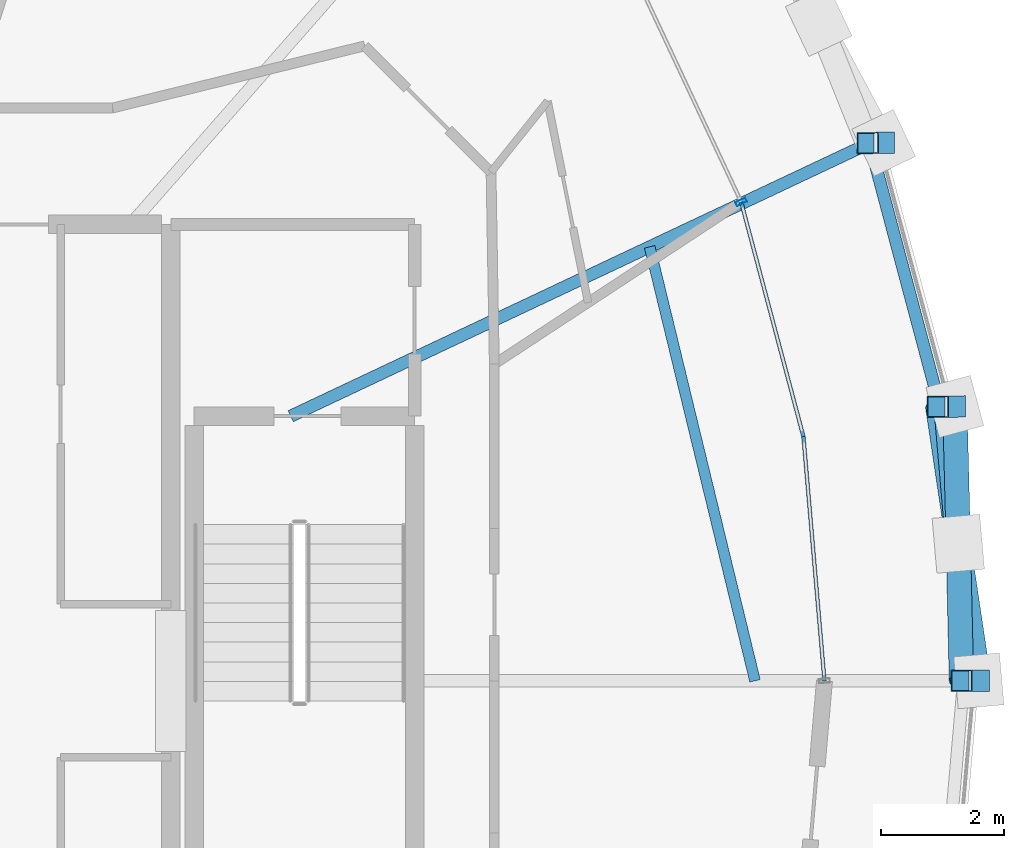
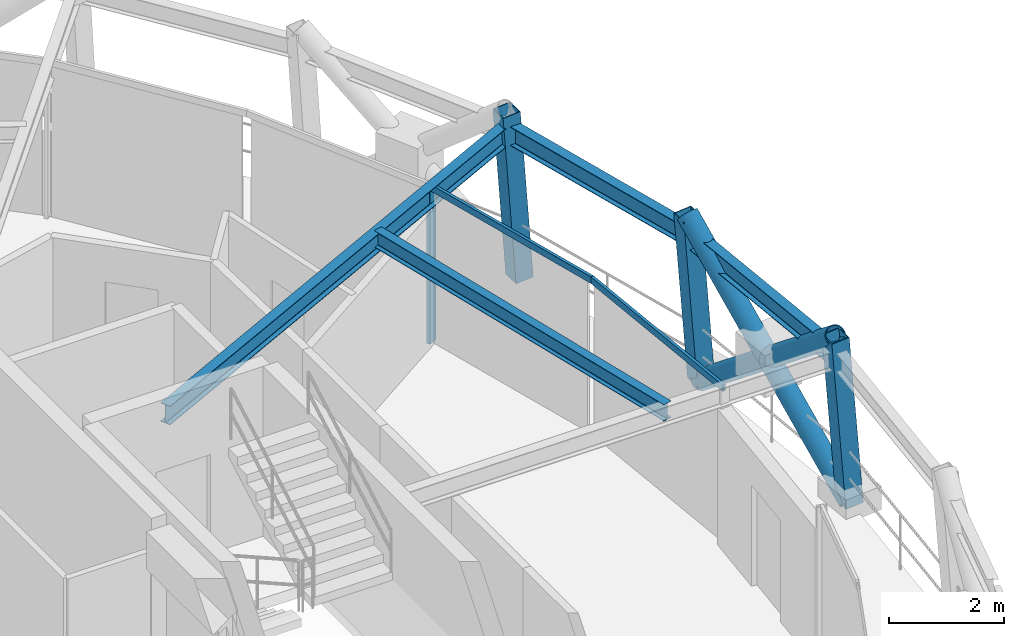
# One storey, part 5 of 16: 9 members, 4 beams, 1 element without a shape of its own.
"""IFC4 building model written with IfcOpenShell, lengths in metres."""

from ifc_helpers import new_model, si_unit, direction, frame, origin, origin_2d, place, context, subcontext, project, spatial, hollow_rectangle, hollow_circle, i_section, extrude, material, layer, layer_set, material_profile, profile_set, type_object, element, aggregate, save


model = new_model("IFC4")

# Units and contexts
model_context = context("Model", 3, precision=1e-05, world=origin(), true_north=direction((0.0, 1.0)))
body_context = subcontext(model_context, "Body", "Model", "MODEL_VIEW")
ifc_project = project(units=[si_unit("LENGTHUNIT", "METRE"), si_unit("AREAUNIT", "SQUARE_METRE"), si_unit("VOLUMEUNIT", "CUBIC_METRE"), si_unit("PLANEANGLEUNIT", "RADIAN"), si_unit("MASSUNIT", "GRAM", prefix="KILO")], contexts=[model_context])

# Site, building, storey
site_placement = place(None, origin())
site = spatial("IfcSite", under=ifc_project, at=site_placement, CompositionType="ELEMENT")
building_placement = place(site_placement, origin())
building = spatial("IfcBuilding", under=site, at=building_placement, Name="Veldorina Hangang Commons", CompositionType="ELEMENT")
storey_placement = place(building_placement, frame((0.0, 0.0, 283.199951171875)))
storey = spatial("IfcBuildingStorey", under=building, at=storey_placement, Name="L74", CompositionType="ELEMENT", Elevation=283.199951171875)

# Beams
ifc_material_1 = material(Name="Steel SM355-TMC", Category="steel")
ifc_material_profile_1 = material_profile(ifc_material_1, i_section(OverallWidth=0.199951171875, OverallDepth=0.39990234375, WebThickness=0.008056640625, FlangeThickness=0.012939453125, FilletRadius=0.012939453125, at=origin_2d()), Name="H-400x200x8x13")
ifc_profile_set_1 = profile_set([ifc_material_profile_1], Name="Steel SM355-TMC")
beam_type_1 = type_object("IfcBeamType", Name="BM-FG400", PredefinedType="BEAM", material=ifc_profile_set_1)
beam_1_placement = place(storey_placement, frame((41.157470703125, 28.320068359375, 3.16015625), z_axis=(0.904413730683, 0.426656540736, 0.0), x_axis=(-0.426656540736, 0.904413730683, 0.0)))
element("IfcBeam", 1, at=beam_1_placement, inside=storey, type_object=beam_type_1, Name="L74 radial floor girder 02", PredefinedType="BEAM", context=body_context, shape_type="SweptSolid", body=[
    extrude(i_section(OverallWidth=0.199951171875, OverallDepth=0.39990234375, WebThickness=0.008056640625, FlangeThickness=0.012939453125, FilletRadius=0.012939453125, at=origin_2d()), origin(), (0.0, 0.0, 1.0), 10.44873046875),
])
ifc_material_profile_2 = material_profile(ifc_material_1, i_section(OverallWidth=0.175048828125, OverallDepth=0.35009765625, WebThickness=0.007080078125, FlangeThickness=0.010986328125, FilletRadius=0.012939453125, at=origin_2d()), Name="H-350x175x7x11")
ifc_profile_set_2 = profile_set([ifc_material_profile_2], Name="Steel SM355-TMC")
beam_type_2 = type_object("IfcBeamType", Name="BM-JST350", PredefinedType="JOIST", material=ifc_profile_set_2)
beam_2_placement = place(storey_placement, frame((48.735595703125, 24.0, 3.18505859375), z_axis=(-0.235847326626, 0.971790120614, 0.0), x_axis=(-0.971790120614, -0.235847326626, 0.0)))
element("IfcBeam", 2, at=beam_2_placement, inside=storey, type_object=beam_type_2, Name="L74 secondary floor joist 01", PredefinedType="JOIST", context=body_context, shape_type="SweptSolid", body=[
    extrude(i_section(OverallWidth=0.175048828125, OverallDepth=0.35009765625, WebThickness=0.007080078125, FlangeThickness=0.010986328125, FilletRadius=0.012939453125, at=origin_2d()), origin(), (0.0, 0.0, 1.0), 7.28955078125),
])
ifc_material_profile_3 = material_profile(ifc_material_1, i_section(OverallWidth=0.199951171875, OverallDepth=0.39990234375, WebThickness=0.008056640625, FlangeThickness=0.012939453125, FilletRadius=0.012939453125, at=origin_2d()), Name="H-400x200x8x13")
ifc_profile_set_3 = profile_set([ifc_material_profile_3], Name="Steel SM355-TMC")
beam_type_3 = type_object("IfcBeamType", Name="BM-RB400", PredefinedType="BEAM", material=ifc_profile_set_3)
beam_3_placement = place(storey_placement, frame((52.140625, 24.0, 3.16015625), z_axis=(-0.086148795237, 0.996282281825, 0.0), x_axis=(-0.996282281825, -0.086148795237, 0.0)))
element("IfcBeam", 3, at=beam_3_placement, inside=storey, type_object=beam_type_3, Name="L74 perimeter hoop ring beam 00", PredefinedType="BEAM", context=body_context, shape_type="SweptSolid", body=[
    extrude(i_section(OverallWidth=0.199951171875, OverallDepth=0.39990234375, WebThickness=0.008056640625, FlangeThickness=0.012939453125, FilletRadius=0.012939453125, at=origin_2d()), origin(), (0.0, 0.0, 1.0), 4.49169921875),
])
beam_4_placement = place(storey_placement, frame((51.753662109375, 28.47509765625, 3.16015625), z_axis=(-0.257406712374, 0.96630315348, 0.0), x_axis=(-0.96630315348, -0.257406712374, 0.0)))
element("IfcBeam", 4, at=beam_4_placement, inside=storey, type_object=beam_type_3, Name="L74 perimeter hoop ring beam 01", PredefinedType="BEAM", context=body_context, shape_type="SweptSolid", body=[
    extrude(i_section(OverallWidth=0.199951171875, OverallDepth=0.39990234375, WebThickness=0.008056640625, FlangeThickness=0.012939453125, FilletRadius=0.012939453125, at=origin_2d()), origin(), (0.0, 0.0, 1.0), 4.453125),
])

# Curtain wall, members
ifc_material_2 = material(Name="Glass Low-E Selective", Category="glass")
ifc_layer = layer(ifc_material_2, 0.179931640625)
ifc_layer_set = layer_set([ifc_layer], Name="Glass Low-E Selective")
curtain_wall_type = type_object("IfcCurtainWallType", Name="CW-SYS-Z3", PredefinedType="NOTDEFINED", material=ifc_layer_set)
curtain_wall_placement = place(storey_placement, origin())
curtain_wall = element("IfcCurtainWall", 5, at=curtain_wall_placement, inside=storey, type_object=curtain_wall_type, Name="L74 unitised curtain wall CW-L74-R1", PredefinedType="NOTDEFINED")
ifc_material_3 = material(Name="Aluminium Anodized AA6063-T6", Category="aluminium")
ifc_material_profile_4 = material_profile(ifc_material_3, hollow_rectangle(XDim=0.070068359375, YDim=0.179931640625, WallThickness=0.00390625, at=origin_2d()), Name="ALU-RHS-180x70x4")
ifc_profile_set_4 = profile_set([ifc_material_profile_4], Name="Aluminium Anodized AA6063-T6")
member_type_1 = type_object("IfcMemberType", Name="CW-MUL-180", PredefinedType="MULLION", material=ifc_profile_set_4)
member_1_placement = place(storey_placement, frame((48.509521484375, 31.817626953125, 0.0), z_axis=(0.0, 0.0, 1.0), x_axis=(-0.42355130275, 0.905872117873, 0.0)))
member_1 = element("IfcMember", 6, at=member_1_placement, type_object=member_type_1, Name="CW-L74-R1 vertical mullion 2", PredefinedType="MULLION", context=body_context, shape_type="SweptSolid", body=[
    extrude(hollow_rectangle(XDim=0.070068359375, YDim=0.179931640625, WallThickness=0.00390625, at=origin_2d()), origin(), (0.0, 0.0, 1.0), 3.320068359375),
])
ifc_material_profile_5 = material_profile(ifc_material_3, hollow_rectangle(XDim=0.06005859375, YDim=0.139892578125, WallThickness=0.00341796875, at=origin_2d()), Name="ALU-RHS-140x60x3.5")
ifc_profile_set_5 = profile_set([ifc_material_profile_5], Name="Aluminium Anodized AA6063-T6")
member_type_2 = type_object("IfcMemberType", Name="CW-TRN-140", PredefinedType="USERDEFINED", material=ifc_profile_set_5)
member_2_placement = place(storey_placement, frame((49.86962890625, 24.0, 3.280029296875), z_axis=(-0.085813135063, 0.996311249485, 0.0), x_axis=(-0.996311249485, -0.085813135063, 0.0)))
member_2 = element("IfcMember", 7, at=member_2_placement, type_object=member_type_2, Name="CW-L74-R1 facet 1 transom 1", ObjectType="TRANSOM", PredefinedType="USERDEFINED", context=body_context, shape_type="SweptSolid", body=[
    extrude(hollow_rectangle(XDim=0.06005859375, YDim=0.139892578125, WallThickness=0.00341796875, at=origin_2d()), origin(), (0.0, 0.0, 1.0), 4.0),
])
member_3_placement = place(storey_placement, frame((49.5263671875, 27.9853515625, 3.280029296875), z_axis=(-0.256462875199, 0.966554082111, 0.0), x_axis=(-0.966554082111, -0.256462875199, 0.0)))
member_3 = element("IfcMember", 8, at=member_3_placement, type_object=member_type_2, Name="CW-L74-R1 facet 2 transom 1", ObjectType="TRANSOM", PredefinedType="USERDEFINED", context=body_context, shape_type="SweptSolid", body=[
    extrude(hollow_rectangle(XDim=0.06005859375, YDim=0.139892578125, WallThickness=0.00341796875, at=origin_2d()), origin(), (0.0, 0.0, 1.0), 3.96484375),
])
aggregate(curtain_wall, [member_1, member_2, member_3])

# Members
ifc_material_profile_6 = material_profile(ifc_material_1, hollow_circle(Radius=0.199951171875, WallThickness=0.02001953125, at=origin_2d()), Name="CHS-400x20")
ifc_profile_set_6 = profile_set([ifc_material_profile_6], Name="Steel SM355-TMC")
member_type_3 = type_object("IfcMemberType", Name="DG-CHS400", PredefinedType="BRACE", material=ifc_profile_set_6)
member_4_placement = place(storey_placement, frame((52.3896484375, 24.0, 0.0), z_axis=(-0.11590482514, 0.773881105704, 0.622634809293), x_axis=(-0.988969574466, -0.148118806302, 0.0)))
element("IfcMember", 9, at=member_4_placement, inside=storey, type_object=member_type_3, Name="L74 continuous perimeter diagrid brace 00", PredefinedType="BRACE", context=body_context, shape_type="SweptSolid", body=[
    extrude(hollow_circle(Radius=0.199951171875, WallThickness=0.02001953125, at=origin_2d()), origin(), (0.0, 0.0, 1.0), 5.781982421875),
])
member_5_placement = place(storey_placement, frame((51.997802734375, 28.47705078125, 0.0), z_axis=(0.019709793362, -0.779131529821, 0.626550543281), x_axis=(0.999680181041, 0.025289041762, 0.0)))
element("IfcMember", 10, at=member_5_placement, inside=storey, type_object=member_type_3, Name="L74 split perimeter diagrid lower brace 01", PredefinedType="BRACE", context=body_context, shape_type="SweptSolid", body=[
    extrude(hollow_circle(Radius=0.199951171875, WallThickness=0.02001953125, at=origin_2d()), origin(), (0.0, 0.0, 1.0), 2.873779296875),
])
member_6_placement = place(storey_placement, frame((52.054443359375, 26.238037109375, 1.800537109375), z_axis=(0.017934886845, -0.77919008392, 0.626531047079), x_axis=(0.999735206129, 0.023011249972, 0.0)))
element("IfcMember", 11, at=member_6_placement, inside=storey, type_object=member_type_3, Name="L74 split perimeter diagrid upper brace 01", PredefinedType="BRACE", context=body_context, shape_type="SweptSolid", body=[
    extrude(hollow_circle(Radius=0.199951171875, WallThickness=0.02001953125, at=origin_2d()), origin(), (0.0, 0.0, 1.0), 2.872314453125),
])
ifc_material_profile_7 = material_profile(ifc_material_1, hollow_rectangle(XDim=0.35009765625, YDim=0.35009765625, WallThickness=0.01611328125, at=origin_2d()), Name="SHS-350x350x16")
ifc_profile_set_7 = profile_set([ifc_material_profile_7], Name="Steel SM355-TMC")
member_type_4 = type_object("IfcMemberType", Name="STR-SHS350", PredefinedType="STRUT", material=ifc_profile_set_7)
member_7_placement = place(storey_placement, frame((52.3896484375, 24.0, 0.0), z_axis=(-0.078557502825, 0.0, 0.99690958404), x_axis=(0.0, -1.0, 0.0)))
element("IfcMember", 12, at=member_7_placement, inside=storey, type_object=member_type_4, Name="L74 perimeter ring node post 00", PredefinedType="STRUT", context=body_context, shape_type="SweptSolid", body=[
    extrude(hollow_rectangle(XDim=0.35009765625, YDim=0.35009765625, WallThickness=0.01611328125, at=origin_2d()), origin(), (0.0, 0.0, 1.0), 3.611328125),
])
member_8_placement = place(storey_placement, frame((51.997802734375, 28.47705078125, 0.0), z_axis=(-0.077079087068, -0.000676132343, 0.997024752542), x_axis=(0.008771592358, -0.999961528844, 0.0)))
element("IfcMember", 13, at=member_8_placement, inside=storey, type_object=member_type_4, Name="L74 perimeter ring node post 01", PredefinedType="STRUT", context=body_context, shape_type="SweptSolid", body=[
    extrude(hollow_rectangle(XDim=0.35009765625, YDim=0.35009765625, WallThickness=0.01611328125, at=origin_2d()), origin(), (0.0, 0.0, 1.0), 3.61083984375),
])
member_9_placement = place(storey_placement, frame((50.837646484375, 32.781982421875, 0.0), z_axis=(-0.072640836823, -0.001285079981, 0.997357336863), x_axis=(0.017688107552, -0.999843553188, 0.0)))
element("IfcMember", 14, at=member_9_placement, inside=storey, type_object=member_type_4, Name="L74 perimeter ring node post 02", PredefinedType="STRUT", context=body_context, shape_type="SweptSolid", body=[
    extrude(hollow_rectangle(XDim=0.35009765625, YDim=0.35009765625, WallThickness=0.01611328125, at=origin_2d()), origin(), (0.0, 0.0, 1.0), 3.609619140625),
])

save(model, "model.ifc")
